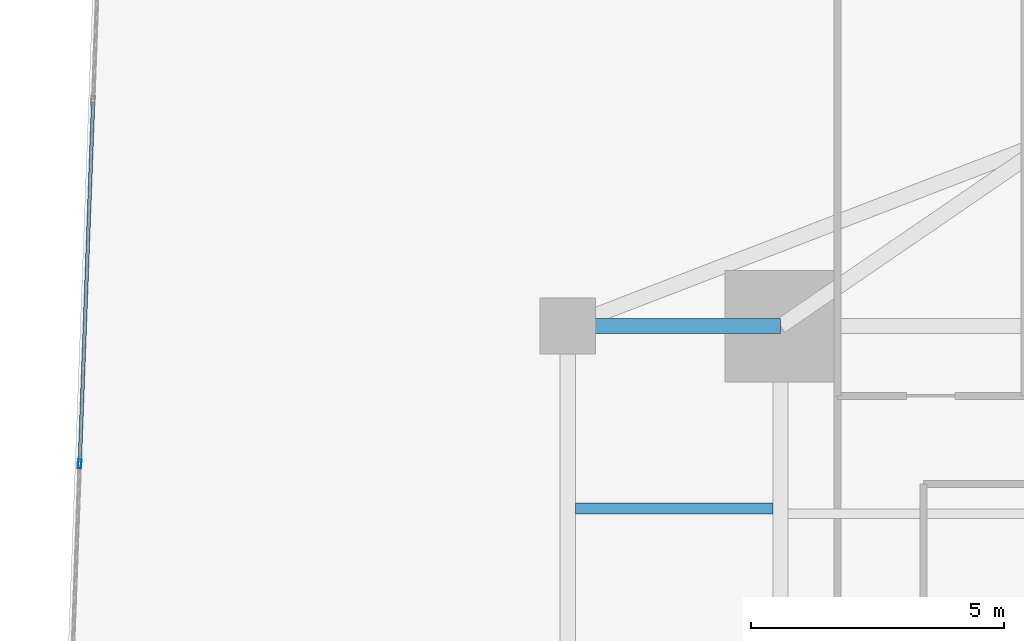
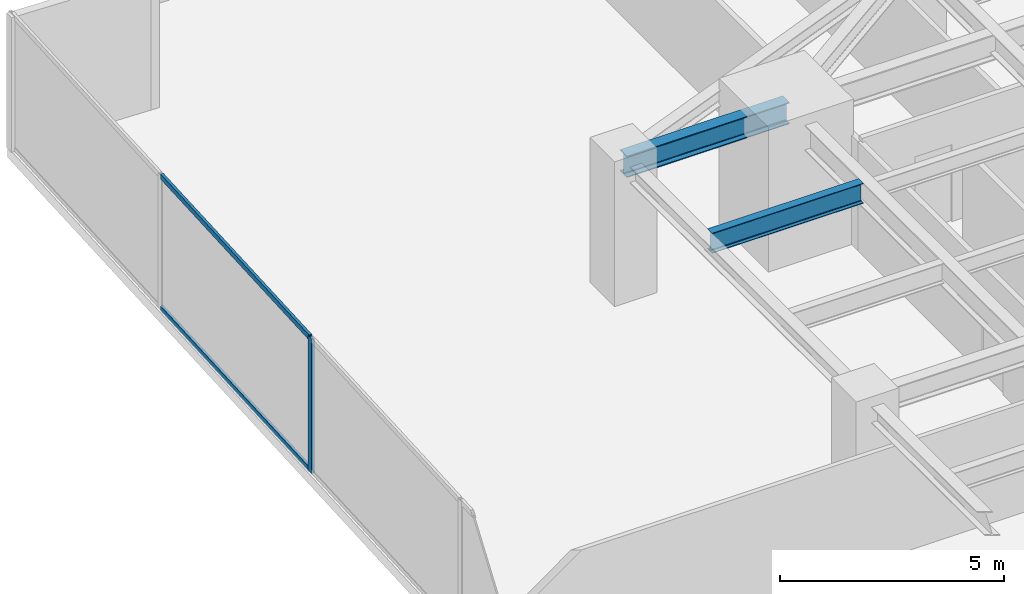
# One storey, part 17 of 30: 3 members, 2 beams, 1 element without a shape of its own.
"""IFC4 building model written with IfcOpenShell, lengths in metres."""

from ifc_helpers import new_model, si_unit, direction, frame, origin, origin_2d, place, context, subcontext, project, spatial, hollow_rectangle, i_section, extrude, source, transform, mapped, material, material_profile, profile_set, type_object, type_shapes, element, aggregate, save


model = new_model("IFC4")

# Units and contexts
model_context = context("Model", 3, precision=1e-05, world=origin(), true_north=direction((0.0, 1.0)))
body_context = subcontext(model_context, "Body", "Model", "MODEL_VIEW")
ifc_project = project(units=[si_unit("LENGTHUNIT", "METRE"), si_unit("AREAUNIT", "SQUARE_METRE"), si_unit("VOLUMEUNIT", "CUBIC_METRE"), si_unit("PLANEANGLEUNIT", "RADIAN"), si_unit("MASSUNIT", "GRAM", prefix="KILO")], contexts=[model_context])

# Site, building, storey
site_placement = place(None, origin())
site = spatial("IfcSite", under=ifc_project, at=site_placement, CompositionType="ELEMENT")
building_placement = place(site_placement, origin())
building = spatial("IfcBuilding", under=site, at=building_placement, Name="Krantzveldt Concourse Tower", CompositionType="ELEMENT")
storey_placement = place(building_placement, frame((0.0, 0.0, 40.800048828125)))
storey = spatial("IfcBuildingStorey", under=building, at=storey_placement, Name="L09", CompositionType="ELEMENT", Elevation=40.800048828125)

# Beams
ifc_material_1 = material(Name="Steel S355JR", Category="steel")
ifc_material_profile_1 = material_profile(ifc_material_1, i_section(OverallWidth=0.300048828125, OverallDepth=0.590087890625, WebThickness=0.012939453125, FlangeThickness=0.02490234375, FilletRadius=0.027099609375, at=origin_2d()), Name="Steel S355JR", Category="steel")
ifc_profile_set_1 = profile_set([ifc_material_profile_1], Name="Steel S355JR - HEA 600")
beam_type_1 = type_object("IfcBeamType", Name="BM-B-HEA600", PredefinedType="BEAM", material=ifc_profile_set_1)
shared_shape_1 = source(origin(), body_context, "Body", "SweptSolid", [
    extrude(i_section(OverallWidth=0.300048828125, OverallDepth=0.590087890625, WebThickness=0.012939453125, FlangeThickness=0.02490234375, FilletRadius=0.027099609375, at=origin_2d()), origin(), (0.0, 0.0, 1.0), 4.199951171875),
])
type_shapes(beam_type_1, [shared_shape_1])
beam_1_placement = place(storey_placement, frame((21.0, 37.5, 3.375), z_axis=(1.0, 0.0, 0.0), x_axis=(0.0, 1.0, 0.0)))
element("IfcBeam", 1, at=beam_1_placement, inside=storey, type_object=beam_type_1, Name="L09 Tower Girder BR-RL3", PredefinedType="BEAM", context=body_context, shape_type="MappedRepresentation", body=[
    mapped(shared_shape_1, transform((0.0, 0.0, 0.0), x_axis=(1.0, 0.0, 0.0), y_axis=(0.0, 1.0, 0.0), z_axis=(0.0, 0.0, 1.0), scale=1.0)),
])
ifc_material_profile_2 = material_profile(ifc_material_1, i_section(OverallWidth=0.2099609375, OverallDepth=0.550048828125, WebThickness=0.010986328125, FlangeThickness=0.01708984375, FilletRadius=0.02392578125, at=origin_2d()), Name="Steel S355JR", Category="steel")
ifc_profile_set_2 = profile_set([ifc_material_profile_2], Name="Steel S355JR - IPE 550")
beam_type_2 = type_object("IfcBeamType", Name="BM-J-IPE550", PredefinedType="JOIST", material=ifc_profile_set_2)
shared_shape_2 = source(origin(), body_context, "Body", "SweptSolid", [
    extrude(i_section(OverallWidth=0.2099609375, OverallDepth=0.550048828125, WebThickness=0.010986328125, FlangeThickness=0.01708984375, FilletRadius=0.02392578125, at=origin_2d()), origin(), (0.0, 0.0, 1.0), 3.900146484375),
])
type_shapes(beam_type_2, [shared_shape_2])
beam_2_placement = place(storey_placement, frame((21.14990234375, 33.89990234375, 3.39501953125), z_axis=(1.0, 0.0, 0.0), x_axis=(0.0, 1.0, 0.0)))
element("IfcBeam", 2, at=beam_2_placement, inside=storey, type_object=beam_type_2, Name="L09 Secondary Floor Joist JW-4", PredefinedType="JOIST", context=body_context, shape_type="MappedRepresentation", body=[
    mapped(shared_shape_2, transform((0.0, 0.0, 0.0), x_axis=(1.0, 0.0, 0.0), y_axis=(0.0, 1.0, 0.0), z_axis=(0.0, 0.0, 1.0), scale=1.0)),
])

# Curtain wall, members
ifc_material_2 = material(Name="Anodised aluminium 6063-T6", Category="aluminium")
curtain_wall_type = type_object("IfcCurtainWallType", Name="CW2", PredefinedType="USERDEFINED", material=ifc_material_2)
curtain_wall_placement = place(storey_placement, origin())
curtain_wall = element("IfcCurtainWall", 3, at=curtain_wall_placement, inside=storey, type_object=curtain_wall_type, Name="CW-L09-F01", ObjectType="UNITISED CURTAIN WALL", PredefinedType="USERDEFINED")
ifc_material_profile_3 = material_profile(ifc_material_2, hollow_rectangle(XDim=0.070068359375, YDim=0.179931640625, WallThickness=0.0048828125, at=origin_2d()), Name="Anodised aluminium 6063-T6", Category="aluminium")
ifc_profile_set_3 = profile_set([ifc_material_profile_3], Name="Anodised aluminium 6063-T6 - ALU-MULL 180x70x5")
member_type_1 = type_object("IfcMemberType", Name="CW-MUL-180", PredefinedType="MULLION", material=ifc_profile_set_3)
shared_shape_3 = source(origin(), body_context, "Body", "SweptSolid", [
    extrude(hollow_rectangle(XDim=0.070068359375, YDim=0.179931640625, WallThickness=0.0048828125, at=origin_2d()), origin(), (0.0, 0.0, 1.0), 3.669921875),
])
type_shapes(member_type_1, [shared_shape_3])
member_1_placement = place(storey_placement, frame((11.372802734375, 34.785400390625, 0.0), z_axis=(0.0, 0.0, 1.0), x_axis=(0.999312308986, -0.037079766834, 0.0)))
member_1 = element("IfcMember", 4, at=member_1_placement, type_object=member_type_1, Name="CW-Z12 mullion 3", PredefinedType="MULLION", context=body_context, shape_type="MappedRepresentation", body=[
    mapped(shared_shape_3, transform((0.0, 0.0, 0.0), x_axis=(1.0, 0.0, 0.0), y_axis=(0.0, 1.0, 0.0), z_axis=(0.0, 0.0, 1.0), scale=1.0)),
])
ifc_material_profile_4 = material_profile(ifc_material_2, hollow_rectangle(XDim=0.070068359375, YDim=0.139892578125, WallThickness=0.0048828125, at=origin_2d()), Name="Anodised aluminium 6063-T6", Category="aluminium")
ifc_profile_set_4 = profile_set([ifc_material_profile_4], Name="Anodised aluminium 6063-T6 - ALU-TRAN 140x70x5")
member_type_2 = type_object("IfcMemberType", Name="CW-TRN-150", PredefinedType="USERDEFINED", material=ifc_profile_set_4)
shared_shape_4 = source(origin(), body_context, "Body", "SweptSolid", [
    extrude(hollow_rectangle(XDim=0.070068359375, YDim=0.139892578125, WallThickness=0.0048828125, at=origin_2d()), origin(), (0.0, 0.0, 1.0), 7.0966796875),
])
type_shapes(member_type_2, [shared_shape_4])
member_2_placement = place(storey_placement, frame((11.63720703125, 41.912109375, 0.034912109375), z_axis=(-0.037051105127, -0.999313372075, 0.0), x_axis=(0.999313372075, -0.037051105127, 0.0)))
member_2 = element("IfcMember", 5, at=member_2_placement, type_object=member_type_2, Name="CW-Z12 transom 2.1", ObjectType="TRANSOM", PredefinedType="USERDEFINED", context=body_context, shape_type="MappedRepresentation", body=[
    mapped(shared_shape_4, transform((0.0, 0.0, 0.0), x_axis=(1.0, 0.0, 0.0), y_axis=(0.0, 1.0, 0.0), z_axis=(0.0, 0.0, 1.0), scale=1.0)),
])
member_3_placement = place(storey_placement, frame((11.63720703125, 41.912109375, 3.635009765625), z_axis=(-0.037051105127, -0.999313372075, 0.0), x_axis=(0.999313372075, -0.037051105127, 0.0)))
member_3 = element("IfcMember", 6, at=member_3_placement, type_object=member_type_2, Name="CW-Z12 transom 2.2", ObjectType="TRANSOM", PredefinedType="USERDEFINED", context=body_context, shape_type="MappedRepresentation", body=[
    mapped(shared_shape_4, transform((0.0, 0.0, 0.0), x_axis=(1.0, 0.0, 0.0), y_axis=(0.0, 1.0, 0.0), z_axis=(0.0, 0.0, 1.0), scale=1.0)),
])
aggregate(curtain_wall, [member_1, member_2, member_3])

save(model, "model.ifc")
